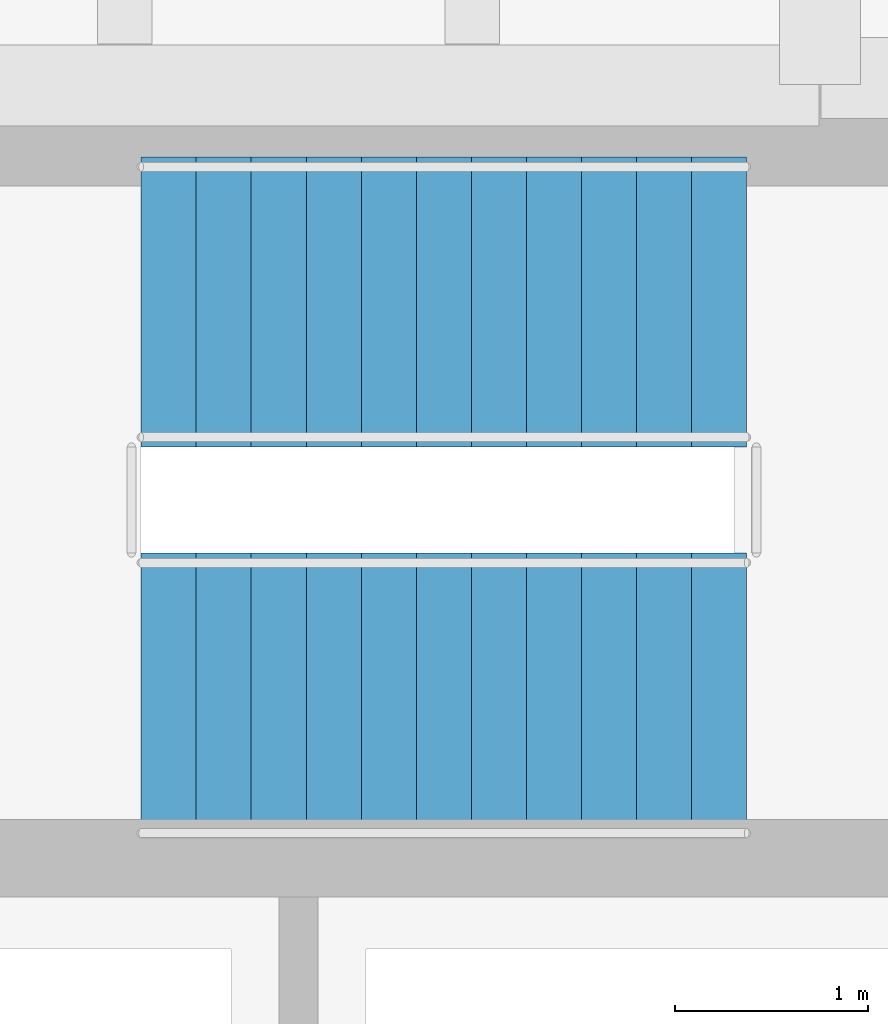
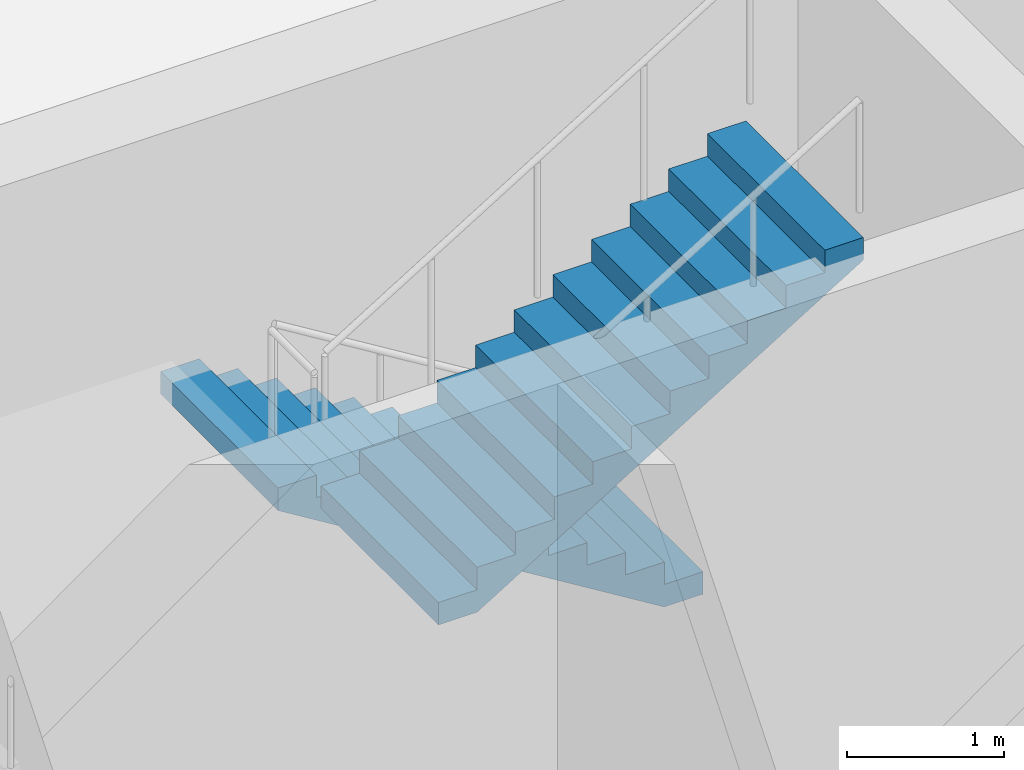
# One storey, part 27 of 32: 2 stair flights, 1 element without a shape of its own.
"""IFC4 building model written with IfcOpenShell, lengths in metres."""

from ifc_helpers import new_model, si_unit, direction, frame, origin, place, context, subcontext, project, spatial, polyline, outline, extrude, material, type_object, element, aggregate, save


model = new_model("IFC4")

# Units and contexts
model_context = context("Model", 3, precision=1e-05, world=origin(), true_north=direction((0.0, 1.0)))
body_context = subcontext(model_context, "Body", "Model", "MODEL_VIEW")
ifc_project = project(units=[si_unit("LENGTHUNIT", "METRE"), si_unit("AREAUNIT", "SQUARE_METRE"), si_unit("VOLUMEUNIT", "CUBIC_METRE"), si_unit("PLANEANGLEUNIT", "RADIAN"), si_unit("MASSUNIT", "GRAM", prefix="KILO")], contexts=[model_context])

# Site, building, storey
site_placement = place(None, origin())
site = spatial("IfcSite", under=ifc_project, at=site_placement, CompositionType="ELEMENT")
building_placement = place(site_placement, origin())
building = spatial("IfcBuilding", under=site, at=building_placement, Name="Cobrela Telecom Tower", CompositionType="ELEMENT")
storey_placement = place(building_placement, frame((0.0, 0.0, 22.050048828125)))
storey = spatial("IfcBuildingStorey", under=building, at=storey_placement, Name="L05", CompositionType="ELEMENT", Elevation=22.050048828125)

# Stair, stair flights
ifc_material = material(Name="Concrete C40/50", Category="concrete")
stair_type = type_object("IfcStairType", Name="STAIR-CORE", PredefinedType="HALF_TURN_STAIR", material=ifc_material)
stair_placement = place(storey_placement, origin())
stair = element("IfcStair", 1, at=stair_placement, inside=storey, type_object=stair_type, Name="L05 Smokeproof Exit Stair ST1", PredefinedType="HALF_TURN_STAIR")
stair_flight_type = type_object("IfcStairFlightType", Name="FLIGHT-CORE", PredefinedType="STRAIGHT", material=ifc_material)
stair_flight_1_placement = place(storey_placement, frame((6.820068359375, 34.800048828125, 0.0), z_axis=(0.0, 0.0, 1.0), x_axis=(-1.0, 0.0, 0.0)))
stair_flight_1 = element("IfcStairFlight", 2, at=stair_flight_1_placement, type_object=stair_flight_type, Name="ST1 flight 1", NumberOfRisers=12, NumberOfTreads=11, PredefinedType="STRAIGHT", RiserHeight=0.175, TreadLength=0.285, context=body_context, shape_type="SweptSolid", body=[
    extrude(outline(polyline([(0.0, 0.0), (0.0, 0.175048828125), (0.284912109375, 0.175048828125), (0.284912109375, 0.35009765625), (0.570068359375, 0.35009765625), (0.570068359375, 0.52490234375), (0.85498046875, 0.52490234375), (0.85498046875, 0.699951171875), (1.139892578125, 0.699951171875), (1.139892578125, 0.875), (1.425048828125, 0.875), (1.425048828125, 1.050048828125), (1.7099609375, 1.050048828125), (1.7099609375, 1.22509765625), (1.9951171875, 1.22509765625), (1.9951171875, 1.39990234375), (2.280029296875, 1.39990234375), (2.280029296875, 1.574951171875), (2.56494140625, 1.574951171875), (2.56494140625, 1.75), (2.85009765625, 1.75), (2.85009765625, 1.925048828125), (3.135009765625, 1.925048828125), (3.135009765625, 2.10009765625), (3.135009765625, 1.7490234375), (0.286376953125, 0.0), (0.0, 0.0)])), frame((0.0, 0.75, 0.0), z_axis=(0.0, -1.0, 0.0), x_axis=(1.0, 0.0, 0.0)), (0.0, 0.0, 1.0), 1.5),
])
stair_flight_2_placement = place(storey_placement, frame((3.68505859375, 32.75, 2.099853515625), z_axis=(0.0, 0.0, 1.0), x_axis=(1.0, 0.0, 0.0)))
stair_flight_2 = element("IfcStairFlight", 3, at=stair_flight_2_placement, type_object=stair_flight_type, Name="ST1 flight 2", NumberOfRisers=12, NumberOfTreads=11, PredefinedType="STRAIGHT", RiserHeight=0.175, TreadLength=0.285, context=body_context, shape_type="SweptSolid", body=[
    extrude(outline(polyline([(0.0, 0.0), (0.0, 0.175048828125), (0.284912109375, 0.175048828125), (0.284912109375, 0.35009765625), (0.570068359375, 0.35009765625), (0.570068359375, 0.52490234375), (0.85498046875, 0.52490234375), (0.85498046875, 0.699951171875), (1.139892578125, 0.699951171875), (1.139892578125, 0.875), (1.425048828125, 0.875), (1.425048828125, 1.050048828125), (1.7099609375, 1.050048828125), (1.7099609375, 1.22509765625), (1.9951171875, 1.22509765625), (1.9951171875, 1.39990234375), (2.280029296875, 1.39990234375), (2.280029296875, 1.574951171875), (2.56494140625, 1.574951171875), (2.56494140625, 1.75), (2.85009765625, 1.75), (2.85009765625, 1.925048828125), (3.135009765625, 1.925048828125), (3.135009765625, 2.10009765625), (3.135009765625, 1.7490234375), (0.286376953125, 0.0), (0.0, 0.0)])), frame((0.0, 0.75, 0.0), z_axis=(0.0, -1.0, 0.0), x_axis=(1.0, 0.0, 0.0)), (0.0, 0.0, 1.0), 1.5),
])
aggregate(stair, [stair_flight_1, stair_flight_2])

save(model, "model.ifc")
